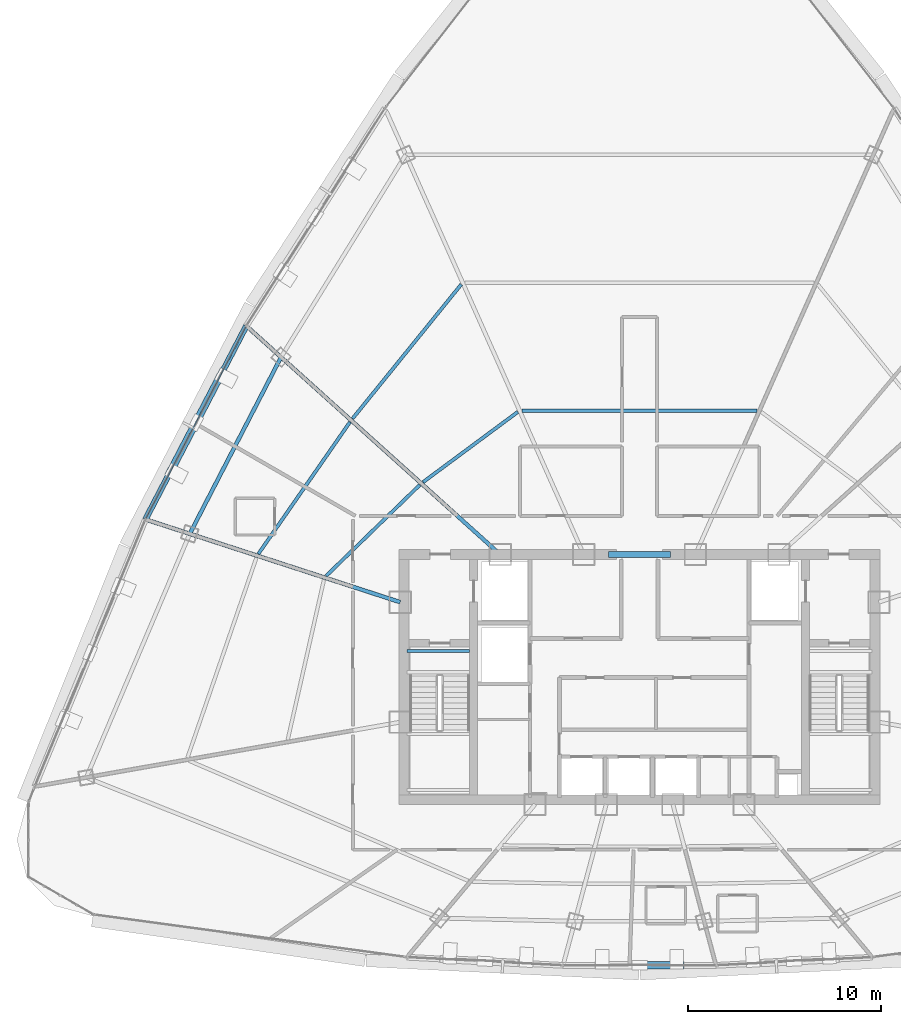
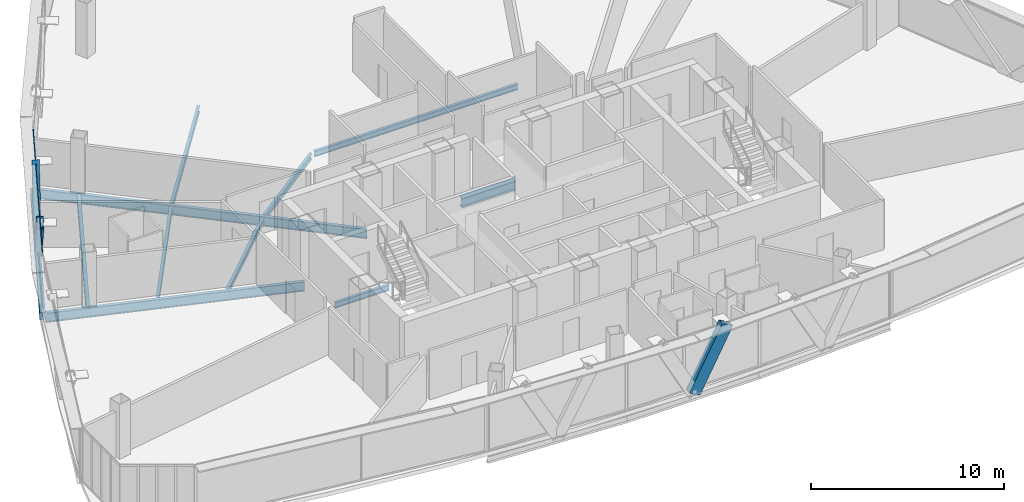
# One storey, part 9 of 39: 11 beams, 5 members, 1 element without a shape of its own.
"""IFC4 building model written with IfcOpenShell, lengths in metres."""

import ifcopenshell
import ifcopenshell.guid

model = None  # the IFC model being written
_history = None  # IfcOwnerHistory: only IFC2X3 demands one
_inside = {}  # id of a spatial element -> (the spatial element, [elements in it])
_under = {}  # id of a project, library or spatial element -> (it, [spatial elements below it])
_declared = {}  # id of a project -> (the project, [libraries it declares])
_typed = {}  # id of a type object -> (the type object, [elements of that type])
_made_of = {}  # id of a material, layer set ... -> (it, [elements and type objects made of it])


def new_model(schema):
    """Start an empty IFC model of exactly this schema.

    Asked for "IFC4X3", IfcOpenShell would pick the latest addendum, in which some entities
    have other attributes; the version numbers below select the first issue.
    IFC2X3 requires an IfcOwnerHistory on every rooted entity: one is made here for all.
    """
    global model, _history
    if schema == "IFC4X3":
        model = ifcopenshell.file(schema_version=(4, 3, 0, 0))
    else:
        model = ifcopenshell.file(schema=schema)
    _inside.clear()
    _under.clear()
    _declared.clear()
    _typed.clear()
    _made_of.clear()
    _history = None
    if model.schema == "IFC2X3":
        org = make("IfcOrganization", Name="unknown")
        user = make(
            "IfcPersonAndOrganization",
            ThePerson=make("IfcPerson", FamilyName="unknown"),
            TheOrganization=org,
        )
        app = make(
            "IfcApplication",
            ApplicationDeveloper=org,
            Version="unknown",
            ApplicationFullName="unknown",
            ApplicationIdentifier="unknown",
        )
        _history = make(
            "IfcOwnerHistory",
            OwningUser=user,
            OwningApplication=app,
            ChangeAction="ADDED",
            CreationDate=0,
        )
    return model


def make(cls, **values):
    """One entity of the class cls with the attributes given. An attribute that is None is left unset."""
    return model.create_entity(
        cls, **{name: value for name, value in values.items() if value is not None}
    )


def rooted(cls, **values):
    """An entity with a GlobalId (a new one), such as an element, a storey or a relation."""
    return make(cls, GlobalId=ifcopenshell.guid.new(), OwnerHistory=_history, **values)


def si_unit(unit_type, name, prefix=None):
    """IfcSIUnit, for example si_unit("LENGTHUNIT", "METRE", prefix="MILLI")."""
    return make("IfcSIUnit", UnitType=unit_type, Prefix=prefix, Name=name)


def assignment(units):
    """IfcUnitAssignment: the units of a project."""
    return None if units is None else make("IfcUnitAssignment", Units=units)


def point(xyz):
    """IfcCartesianPoint."""
    return None if xyz is None else make("IfcCartesianPoint", Coordinates=xyz)


def direction(xyz):
    """IfcDirection."""
    return None if xyz is None else make("IfcDirection", DirectionRatios=xyz)


def frame(location, z_axis=None, x_axis=None):
    """IfcAxis2Placement3D, a coordinate frame: its origin and axes. An axis left out is left unset."""
    return make(
        "IfcAxis2Placement3D",
        Location=point(location),
        Axis=direction(z_axis),
        RefDirection=direction(x_axis),
    )


def frame_2d(location, x_axis=None):
    """IfcAxis2Placement2D, a coordinate frame in the plane: its origin and x axis."""
    return make(
        "IfcAxis2Placement2D", Location=point(location), RefDirection=direction(x_axis)
    )


def origin():
    """The frame at (0, 0, 0) with its axes left unset."""
    return frame((0.0, 0.0, 0.0))


def origin_2d():
    """The frame at (0, 0) in the plane with its x axis left unset."""
    return frame_2d((0.0, 0.0))


def place(relative_to, where):
    """IfcLocalPlacement: puts the frame where relative to a parent placement (None: the world)."""
    return make(
        "IfcLocalPlacement", PlacementRelTo=relative_to, RelativePlacement=where
    )


def context(
    kind, dimensions, precision=None, world=None, true_north=None, identifier=None
):
    """IfcGeometricRepresentationContext, for example the 3D "Model" context."""
    return make(
        "IfcGeometricRepresentationContext",
        ContextIdentifier=identifier,
        ContextType=kind,
        CoordinateSpaceDimension=dimensions,
        Precision=precision,
        WorldCoordinateSystem=world,
        TrueNorth=true_north,
    )


def subcontext(parent, identifier, kind, view, scale=None):
    """IfcGeometricRepresentationSubContext, for example "Body" below "Model"."""
    return make(
        "IfcGeometricRepresentationSubContext",
        ContextIdentifier=identifier,
        ContextType=kind,
        ParentContext=parent,
        TargetScale=scale,
        TargetView=view,
    )


def project(units=None, contexts=None):
    """IfcProject with its units and contexts."""
    return rooted(
        "IfcProject",
        Name="project",
        RepresentationContexts=contexts,
        UnitsInContext=assignment(units),
    )


def spatial(cls, under=None, at=None, **own):
    """A site, building, storey or space (cls), placed at a placement, below another one or the project."""
    s = rooted(cls, ObjectPlacement=at, **own)
    if under is not None:
        _under.setdefault(under.id(), (under, []))[1].append(s)
    return s


def profile(cls, at=None, kind="AREA", **sizes):
    """A parametric profile (cls). Its sizes go by their IFC names, for example OverallWidth=200.0."""
    return make(cls, ProfileType=kind, Position=at, **sizes)


def hollow_rectangle(**sizes):
    """IfcRectangleHollowProfileDef."""
    return profile("IfcRectangleHollowProfileDef", **sizes)


def i_section(**sizes):
    """IfcIShapeProfileDef."""
    return profile("IfcIShapeProfileDef", **sizes)


def extrude(swept, where, along, depth):
    """IfcExtrudedAreaSolid: the profile swept, set in the frame where, extruded along a direction by depth."""
    return make(
        "IfcExtrudedAreaSolid",
        SweptArea=swept,
        Position=where,
        ExtrudedDirection=direction(along),
        Depth=depth,
    )


def shape(context_of_items, identifier, shape_type, items):
    """IfcShapeRepresentation: the items that make up one representation, for example the "Body"."""
    return make(
        "IfcShapeRepresentation",
        ContextOfItems=context_of_items,
        RepresentationIdentifier=identifier,
        RepresentationType=shape_type,
        Items=items,
    )


def source(mapping_origin, context_of_items, identifier, shape_type, items):
    """IfcRepresentationMap: a shape defined once, which mapped items show again and again."""
    return make(
        "IfcRepresentationMap",
        MappingOrigin=mapping_origin,
        MappedRepresentation=shape(context_of_items, identifier, shape_type, items),
    )


def transform(
    local_origin,
    x_axis=None,
    y_axis=None,
    z_axis=None,
    scale=None,
    scale2=None,
    scale3=None,
    uniform=True,
):
    """IfcCartesianTransformationOperator3D, or its non-uniform kind. x_axis, y_axis, z_axis: its Axis1, 2, 3."""
    if uniform:
        return make(
            "IfcCartesianTransformationOperator3D",
            Axis1=direction(x_axis),
            Axis2=direction(y_axis),
            LocalOrigin=point(local_origin),
            Scale=scale,
            Axis3=direction(z_axis),
        )
    return make(
        "IfcCartesianTransformationOperator3DnonUniform",
        Axis1=direction(x_axis),
        Axis2=direction(y_axis),
        LocalOrigin=point(local_origin),
        Scale=scale,
        Axis3=direction(z_axis),
        Scale2=scale2,
        Scale3=scale3,
    )


def mapped(mapping_source, mapping_target):
    """IfcMappedItem: shows the shape of a source again, moved by a transform."""
    return make(
        "IfcMappedItem", MappingSource=mapping_source, MappingTarget=mapping_target
    )


def material(Name=None, Category=None):
    """IfcMaterial."""
    return make("IfcMaterial", Name=Name, Category=Category)


def layer(
    of_material, thickness, ventilated=None, Name=None, Category=None, Priority=None
):
    """IfcMaterialLayer: one layer of a wall or slab, of a material (None: an air gap)."""
    return make(
        "IfcMaterialLayer",
        Material=of_material,
        LayerThickness=thickness,
        IsVentilated=ventilated,
        Name=Name,
        Category=Category,
        Priority=Priority,
    )


def layer_set(layers, Name=None):
    """IfcMaterialLayerSet."""
    return make("IfcMaterialLayerSet", MaterialLayers=layers, LayerSetName=Name)


def material_profile(
    of_material, cross_section, Name=None, Category=None, Priority=None
):
    """IfcMaterialProfile: a cross section and its material."""
    return make(
        "IfcMaterialProfile",
        Name=Name,
        Material=of_material,
        Profile=cross_section,
        Priority=Priority,
        Category=Category,
    )


def profile_set(profiles, Name=None, composite=None):
    """IfcMaterialProfileSet."""
    return make(
        "IfcMaterialProfileSet",
        Name=Name,
        MaterialProfiles=profiles,
        CompositeProfile=composite,
    )


def made_of(thing, what):
    """Note that an element or type object is made of a material, layer set ...; save() writes the relation."""
    if what is not None:
        _made_of.setdefault(what.id(), (what, []))[1].append(thing)
    return thing


def type_object(cls, material=None, **own):
    """A type object (cls), such as IfcWallType, which elements share."""
    return made_of(rooted(cls, **own), material)


def element(
    cls,
    number,
    at=None,
    inside=None,
    cuts=None,
    type_object=None,
    material=None,
    context=None,
    identifier="Body",
    shape_type=None,
    held_by="IfcProductDefinitionShape",
    body=None,
    shapes=None,
    **own,
):
    """One element of the class cls, such as IfcWall. Its Tag is "e" and its number.

    at: its placement. inside: the storey or other place that contains it. cuts: it is an
    opening in that element (IfcRelVoidsElement). A single representation is given by context,
    identifier, shape_type and body (its items); several are given by shapes. held_by: the class
    of the entity that holds the representations. save() writes the other relations.
    """
    e = rooted(cls, Tag="e%d" % number, ObjectPlacement=at, **own)
    if body is not None:
        shapes = [shape(context, identifier, shape_type, body)]
    if shapes is not None:
        e.Representation = make(held_by, Representations=shapes)
    if inside is not None:
        _inside.setdefault(inside.id(), (inside, []))[1].append(e)
    if cuts is not None:
        rooted(
            "IfcRelVoidsElement", RelatingBuildingElement=cuts, RelatedOpeningElement=e
        )
    if type_object is not None:
        _typed.setdefault(type_object.id(), (type_object, []))[1].append(e)
    return made_of(e, material)


def aggregate(whole, parts):
    """IfcRelAggregates: a whole, such as a stair, and the parts it consists of."""
    return rooted("IfcRelAggregates", RelatingObject=whole, RelatedObjects=parts)


def save(model, path):
    """Write the relations noted so far, then the file.

    IfcRelAggregates (storeys below a building ...), IfcRelContainedInSpatialStructure (elements
    in a storey), IfcRelDefinesByType, IfcRelAssociatesMaterial and IfcRelDeclares: one each for
    every whole, place, type object, material and project.
    """
    for whole, parts in _under.values():
        aggregate(whole, parts)
    for where, things in _inside.values():
        rooted(
            "IfcRelContainedInSpatialStructure",
            RelatedElements=things,
            RelatingStructure=where,
        )
    for kind, things in _typed.values():
        rooted("IfcRelDefinesByType", RelatedObjects=things, RelatingType=kind)
    for what, things in _made_of.values():
        rooted("IfcRelAssociatesMaterial", RelatedObjects=things, RelatingMaterial=what)
    for by, libraries in _declared.values():
        rooted("IfcRelDeclares", RelatingContext=by, RelatedDefinitions=libraries)
    model.write(path)


model = new_model("IFC4")

# Units and contexts
model_context = context("Model", 3, precision=1e-05, world=origin(), true_north=direction((0.0, 1.0)))
body_context = subcontext(model_context, "Body", "Model", "MODEL_VIEW")
ifc_project = project(units=[si_unit("LENGTHUNIT", "METRE"), si_unit("AREAUNIT", "SQUARE_METRE"), si_unit("VOLUMEUNIT", "CUBIC_METRE"), si_unit("PLANEANGLEUNIT", "RADIAN"), si_unit("MASSUNIT", "GRAM", prefix="KILO"), si_unit("THERMODYNAMICTEMPERATUREUNIT", "KELVIN"), si_unit("POWERUNIT", "WATT")], contexts=[model_context])

# Site, building, storey
site_placement = place(None, origin())
site = spatial("IfcSite", under=ifc_project, at=site_placement, CompositionType="ELEMENT")
building_placement = place(site_placement, origin())
building = spatial("IfcBuilding", under=site, at=building_placement, Name="Yunzhuo Pagoda Commons", CompositionType="ELEMENT")
storey_placement = place(building_placement, frame((0.0, 0.0, 296.2099609375)))
storey = spatial("IfcBuildingStorey", under=building, at=storey_placement, Name="L74", CompositionType="ELEMENT", Elevation=296.2099609375)

# Beams
ifc_material_1 = material(Name="Structural steel Q355B", Category="steel")
ifc_material_profile_1 = material_profile(ifc_material_1, i_section(OverallWidth=0.175048828125, OverallDepth=0.35009765625, WebThickness=0.007080078125, FlangeThickness=0.010986328125, at=origin_2d()), Name="Structural steel Q355B")
ifc_profile_set_1 = profile_set([ifc_material_profile_1], Name="Structural steel Q355B")
beam_type_1 = type_object("IfcBeamType", Name="B-JS2 Joist HN 350x175x7x11", PredefinedType="JOIST", material=ifc_profile_set_1)
shared_shape_1 = source(origin(), body_context, "Body", "SweptSolid", [
    extrude(i_section(OverallWidth=0.175048828125, OverallDepth=0.35009765625, WebThickness=0.007080078125, FlangeThickness=0.010986328125, at=origin_2d()), origin(), (0.0, 0.0, 1.0), 3.25),
])
beam_1_placement = place(storey_placement, frame((35.949951171875, 35.199951171875, -0.375), z_axis=(1.0, 0.0, 0.0), x_axis=(0.0, 1.0, 0.0)))
element("IfcBeam", 1, at=beam_1_placement, inside=storey, type_object=beam_type_1, Name="L74 ST1 landing support beam 178B", PredefinedType="JOIST", context=body_context, shape_type="MappedRepresentation", body=[
    mapped(shared_shape_1, transform((0.0, 0.0, 0.0), scale=1.0)),
])
ifc_material_2 = material(Name="Structural steel Q420B", Category="steel")
ifc_material_profile_2 = material_profile(ifc_material_2, i_section(OverallWidth=0.300048828125, OverallDepth=0.587890625, WebThickness=0.011962890625, FlangeThickness=0.02001953125, at=origin_2d()), Name="Structural steel Q420B")
ifc_profile_set_2 = profile_set([ifc_material_profile_2], Name="Structural steel Q420B")
beam_type_2 = type_object("IfcBeamType", Name="B-CPL Beam HM 588x300x12x20", PredefinedType="BEAM", material=ifc_profile_set_2)
shared_shape_2 = source(origin(), body_context, "Body", "SweptSolid", [
    extrude(i_section(OverallWidth=0.300048828125, OverallDepth=0.587890625, WebThickness=0.011962890625, FlangeThickness=0.02001953125, at=origin_2d()), origin(), (0.0, 0.0, 1.0), 3.2001953125),
])
beam_2_placement = place(storey_placement, frame((46.39990234375, 40.199951171875, -0.553955078125), z_axis=(1.0, 0.0, 0.0), x_axis=(0.0, 1.0, 0.0)))
element("IfcBeam", 2, at=beam_2_placement, inside=storey, type_object=beam_type_2, Name="L74 core coupling girder", PredefinedType="BEAM", context=body_context, shape_type="MappedRepresentation", body=[
    mapped(shared_shape_2, transform((0.0, 0.0, 0.0), scale=1.0)),
])
ifc_material_profile_3 = material_profile(ifc_material_1, i_section(OverallWidth=0.199951171875, OverallDepth=0.60009765625, WebThickness=0.010986328125, FlangeThickness=0.01708984375, at=origin_2d()), Name="Structural steel Q355B")
ifc_profile_set_3 = profile_set([ifc_material_profile_3], Name="Structural steel Q355B")
beam_type_3 = type_object("IfcBeamType", Name="B-RG3 Beam HN 600x200x11x17", PredefinedType="BEAM", material=ifc_profile_set_3)
shared_shape_3 = source(origin(), body_context, "Body", "SweptSolid", [
    extrude(i_section(OverallWidth=0.199951171875, OverallDepth=0.60009765625, WebThickness=0.010986328125, FlangeThickness=0.01708984375, at=origin_2d()), origin(), (0.0, 0.0, 1.0), 10.3017578125),
])
beam_3_placement = place(storey_placement, frame((29.4267578125, 50.423583984375, -0.56005859375), z_axis=(-0.459070867827, -0.888399650108, 0.0), x_axis=(0.888399650108, -0.459070867827, 0.0)))
element("IfcBeam", 3, at=beam_3_placement, inside=storey, type_object=beam_type_3, Name="L74 column-ring beam 10", PredefinedType="BEAM", context=body_context, shape_type="MappedRepresentation", body=[
    mapped(shared_shape_3, transform((0.0, 0.0, 0.0), scale=1.0)),
])
shared_shape_4 = source(origin(), body_context, "Body", "SweptSolid", [
    extrude(i_section(OverallWidth=0.175048828125, OverallDepth=0.35009765625, WebThickness=0.007080078125, FlangeThickness=0.010986328125, at=origin_2d()), origin(), (0.0, 0.0, 1.0), 6.767333984375),
])
beam_4_placement = place(storey_placement, frame((36.611083984375, 43.80029296875, -0.43505859375), z_axis=(-0.717207253673, -0.696859925149, 0.0), x_axis=(0.696859925149, -0.717207253673, 0.0)))
element("IfcBeam", 4, at=beam_4_placement, inside=storey, type_object=beam_type_1, Name="L74 composite ring joist 1.10", PredefinedType="JOIST", context=body_context, shape_type="MappedRepresentation", body=[
    mapped(shared_shape_4, transform((0.0, 0.0, 0.0), scale=1.0)),
])
shared_shape_5 = source(origin(), body_context, "Body", "SweptSolid", [
    extrude(i_section(OverallWidth=0.175048828125, OverallDepth=0.35009765625, WebThickness=0.007080078125, FlangeThickness=0.010986328125, at=origin_2d()), origin(), (0.0, 0.0, 1.0), 8.31103515625),
])
beam_5_placement = place(storey_placement, frame((32.994384765625, 47.0576171875, -0.43505859375), z_axis=(-0.570615989364, -0.821217019236, 0.0), x_axis=(0.821217019236, -0.570615989364, 0.0)))
element("IfcBeam", 5, at=beam_5_placement, inside=storey, type_object=beam_type_1, Name="L74 composite ring joist 2.10", PredefinedType="JOIST", context=body_context, shape_type="MappedRepresentation", body=[
    mapped(shared_shape_5, transform((0.0, 0.0, 0.0), scale=1.0)),
])
shared_shape_6 = source(origin(), body_context, "Body", "SweptSolid", [
    extrude(i_section(OverallWidth=0.175048828125, OverallDepth=0.35009765625, WebThickness=0.007080078125, FlangeThickness=0.010986328125, at=origin_2d()), origin(), (0.0, 0.0, 1.0), 6.109619140625),
])
beam_6_placement = place(storey_placement, frame((41.6943359375, 47.5869140625, -0.43505859375), z_axis=(-0.803396474468, -0.595444459888, 0.0), x_axis=(0.595444459888, -0.803396474468, 0.0)))
element("IfcBeam", 6, at=beam_6_placement, inside=storey, type_object=beam_type_1, Name="L74 composite ring joist 1.9", PredefinedType="JOIST", context=body_context, shape_type="MappedRepresentation", body=[
    mapped(shared_shape_6, transform((0.0, 0.0, 0.0), scale=1.0)),
])
shared_shape_7 = source(origin(), body_context, "Body", "SweptSolid", [
    extrude(i_section(OverallWidth=0.175048828125, OverallDepth=0.35009765625, WebThickness=0.007080078125, FlangeThickness=0.010986328125, at=origin_2d()), origin(), (0.0, 0.0, 1.0), 8.9462890625),
])
beam_7_placement = place(storey_placement, frame((38.763916015625, 54.19287109375, -0.43505859375), z_axis=(-0.629455685791, -0.777036382434, 0.0), x_axis=(0.777036382434, -0.629455685791, 0.0)))
element("IfcBeam", 7, at=beam_7_placement, inside=storey, type_object=beam_type_1, Name="L74 composite ring joist 2.9", PredefinedType="JOIST", context=body_context, shape_type="MappedRepresentation", body=[
    mapped(shared_shape_7, transform((0.0, 0.0, 0.0), scale=1.0)),
])
shared_shape_8 = source(origin(), body_context, "Body", "SweptSolid", [
    extrude(i_section(OverallWidth=0.175048828125, OverallDepth=0.35009765625, WebThickness=0.007080078125, FlangeThickness=0.010986328125, at=origin_2d()), origin(), (0.0, 0.0, 1.0), 12.19677734375),
])
beam_8_placement = place(storey_placement, frame((54.098388671875, 47.6552734375, -0.43505859375), z_axis=(-1.0, 0.0, 0.0), x_axis=(0.0, -1.0, 0.0)))
element("IfcBeam", 8, at=beam_8_placement, inside=storey, type_object=beam_type_1, Name="L74 composite ring joist 1.8", PredefinedType="JOIST", context=body_context, shape_type="MappedRepresentation", body=[
    mapped(shared_shape_8, transform((0.0, 0.0, 0.0), scale=1.0)),
])
shared_shape_9 = source(origin(), body_context, "Body", "SweptSolid", [
    extrude(i_section(OverallWidth=0.199951171875, OverallDepth=0.60009765625, WebThickness=0.010986328125, FlangeThickness=0.01708984375, at=origin_2d()), origin(), (0.0, 0.0, 1.0), 13.723388671875),
])
beam_9_placement = place(storey_placement, frame((22.54833984375, 41.9697265625, -0.56005859375), z_axis=(0.951057598357, -0.309013664112, 0.0), x_axis=(0.309013664112, 0.951057598357, 0.0)))
element("IfcBeam", 9, at=beam_9_placement, inside=storey, type_object=beam_type_3, Name="L74 radial floor girder F3C3", PredefinedType="BEAM", context=body_context, shape_type="MappedRepresentation", body=[
    mapped(shared_shape_9, transform((0.0, 0.0, 0.0), scale=1.0)),
])
shared_shape_10 = source(origin(), body_context, "Body", "SweptSolid", [
    extrude(i_section(OverallWidth=0.199951171875, OverallDepth=0.60009765625, WebThickness=0.010986328125, FlangeThickness=0.01708984375, at=origin_2d()), origin(), (0.0, 0.0, 1.0), 17.54541015625),
])
beam_10_placement = place(storey_placement, frame((27.742431640625, 51.9404296875, -0.56005859375), z_axis=(0.74313083727, -0.66914614151, 0.0), x_axis=(0.66914614151, 0.74313083727, 0.0)))
element("IfcBeam", 10, at=beam_10_placement, inside=storey, type_object=beam_type_3, Name="L74 radial floor girder F3C2", PredefinedType="BEAM", context=body_context, shape_type="MappedRepresentation", body=[
    mapped(shared_shape_10, transform((0.0, 0.0, 0.0), scale=1.0)),
])
ifc_material_profile_4 = material_profile(ifc_material_1, i_section(OverallWidth=0.300048828125, OverallDepth=0.43994140625, WebThickness=0.010986328125, FlangeThickness=0.01806640625, at=origin_2d()), Name="Structural steel Q355B")
ifc_profile_set_4 = profile_set([ifc_material_profile_4], Name="Structural steel Q355B")
beam_type_4 = type_object("IfcBeamType", Name="B-SP2 Beam HM 440x300x11x18", PredefinedType="BEAM", material=ifc_profile_set_4)
shared_shape_11 = source(origin(), body_context, "Body", "SweptSolid", [
    extrude(i_section(OverallWidth=0.300048828125, OverallDepth=0.43994140625, WebThickness=0.010986328125, FlangeThickness=0.01806640625, at=origin_2d()), origin(), (0.0, 0.0, 1.0), 11.306640625),
])
beam_11_placement = place(storey_placement, frame((27.627197265625, 52.043701171875, -0.479736328125), z_axis=(-0.462239065904, -0.886755347293, 0.0), x_axis=(0.886755347293, -0.462239065904, 0.0)))
element("IfcBeam", 11, at=beam_11_placement, inside=storey, type_object=beam_type_4, Name="L74 facade edge spandrel beam F3.2", PredefinedType="BEAM", context=body_context, shape_type="MappedRepresentation", body=[
    mapped(shared_shape_11, transform((0.0, 0.0, 0.0), scale=1.0)),
])

# Members
ifc_material_profile_5 = material_profile(ifc_material_1, hollow_rectangle(XDim=0.3798828125, YDim=0.719970703125, WallThickness=0.02001953125, at=origin_2d()), Name="Structural steel Q355B")
ifc_profile_set_5 = profile_set([ifc_material_profile_5], Name="Structural steel Q355B")
member_type_1 = type_object("IfcMemberType", Name="M-DL3 Brace BOX 720x380x20", PredefinedType="BRACE", material=ifc_profile_set_5)
shared_shape_12 = source(origin(), body_context, "Body", "SweptSolid", [
    extrude(hollow_rectangle(XDim=0.3798828125, YDim=0.719970703125, WallThickness=0.02001953125, at=origin_2d()), origin(), (0.0, 0.0, 1.0), 4.2236328125),
])
member_1_placement = place(storey_placement, frame((48.0, 18.910888671875, -0.260009765625), z_axis=(0.469135503, 0.0, 0.883126196998), x_axis=(0.0, 1.0, 0.0)))
element("IfcMember", 12, at=member_1_placement, inside=storey, type_object=member_type_1, Name="L74 facade diamond brace F1.2R", PredefinedType="BRACE", context=body_context, shape_type="MappedRepresentation", body=[
    mapped(shared_shape_12, transform((0.0, 0.0, 0.0), scale=1.0)),
])
shared_shape_13 = source(origin(), body_context, "Body", "SweptSolid", [
    extrude(hollow_rectangle(XDim=0.3798828125, YDim=0.719970703125, WallThickness=0.02001953125, at=origin_2d()), origin(), (0.0, 0.0, 1.0), 4.679931640625),
])
member_2_placement = place(storey_placement, frame((25.01416015625, 47.03076171875, -0.260009765625), z_axis=(-0.279144366279, -0.535596189232, 0.797003854981), x_axis=(0.886786511583, -0.462179275687, 0.0)))
element("IfcMember", 13, at=member_2_placement, inside=storey, type_object=member_type_1, Name="L74 facade diamond brace F3.2R", PredefinedType="BRACE", context=body_context, shape_type="MappedRepresentation", body=[
    mapped(shared_shape_13, transform((0.0, 0.0, 0.0), scale=1.0)),
])
shared_shape_14 = source(origin(), body_context, "Body", "SweptSolid", [
    extrude(hollow_rectangle(XDim=0.3798828125, YDim=0.719970703125, WallThickness=0.02001953125, at=origin_2d()), origin(), (0.0, 0.0, 1.0), 4.68017578125),
])
member_3_placement = place(storey_placement, frame((25.01416015625, 47.03076171875, -0.260009765625), z_axis=(0.279184666524, 0.535625589662, 0.796969980411), x_axis=(-0.886769562818, 0.462211793943, 0.0)))
element("IfcMember", 14, at=member_3_placement, inside=storey, type_object=member_type_1, Name="L74 facade diamond brace F3.2L", PredefinedType="BRACE", context=body_context, shape_type="MappedRepresentation", body=[
    mapped(shared_shape_14, transform((0.0, 0.0, 0.0), scale=1.0)),
])

# Curtain wall, members
ifc_material_3 = material(Name="Anodized aluminium 6063-T6", Category="aluminium")
ifc_layer = layer(ifc_material_3, 0.139892578125)
ifc_layer_set = layer_set([ifc_layer], Name="Anodized aluminium 6063-T6")
curtain_wall_type = type_object("IfcCurtainWallType", Name="CW-HI High-Zone Ribbon Curtain Wall", PredefinedType="NOTDEFINED", material=ifc_layer_set)
curtain_wall_placement = place(storey_placement, origin())
curtain_wall = element("IfcCurtainWall", 15, at=curtain_wall_placement, inside=storey, type_object=curtain_wall_type, Name="L74 curtain wall CW-L74-F3B3", PredefinedType="NOTDEFINED")
ifc_material_profile_6 = material_profile(ifc_material_3, hollow_rectangle(XDim=0.054931640625, YDim=0.1201171875, WallThickness=0.00341796875, at=origin_2d()), Name="Anodized aluminium 6063-T6")
ifc_profile_set_6 = profile_set([ifc_material_profile_6], Name="Anodized aluminium 6063-T6")
member_type_2 = type_object("IfcMemberType", Name="CW-HI-T Transom RHS 120x55x3.5", PredefinedType="USERDEFINED", material=ifc_profile_set_6)
shared_shape_15 = source(origin(), body_context, "Body", "SweptSolid", [
    extrude(hollow_rectangle(XDim=0.054931640625, YDim=0.1201171875, WallThickness=0.00341796875, at=origin_2d()), origin(), (0.0, 0.0, 1.0), 11.1865234375),
])
member_4_placement = place(storey_placement, frame((27.599365234375, 51.99072265625, 0.027587890625), z_axis=(-0.462217657155, -0.886766506705, 0.0), x_axis=(0.886766506705, -0.462217657155, 0.0)))
member_4 = element("IfcMember", 16, at=member_4_placement, type_object=member_type_2, Name="CW transom 1.1", ObjectType="TRANSOM", PredefinedType="USERDEFINED", context=body_context, shape_type="MappedRepresentation", body=[
    mapped(shared_shape_15, transform((0.0, 0.0, 0.0), scale=1.0)),
])
member_5_placement = place(storey_placement, frame((27.599365234375, 51.99072265625, 3.442626953125), z_axis=(-0.462217657155, -0.886766506705, 0.0), x_axis=(0.886766506705, -0.462217657155, 0.0)))
member_5 = element("IfcMember", 17, at=member_5_placement, type_object=member_type_2, Name="CW transom 1.2", ObjectType="TRANSOM", PredefinedType="USERDEFINED", context=body_context, shape_type="MappedRepresentation", body=[
    mapped(shared_shape_15, transform((0.0, 0.0, 0.0), scale=1.0)),
])
aggregate(curtain_wall, [member_4, member_5])

save(model, "model.ifc")
